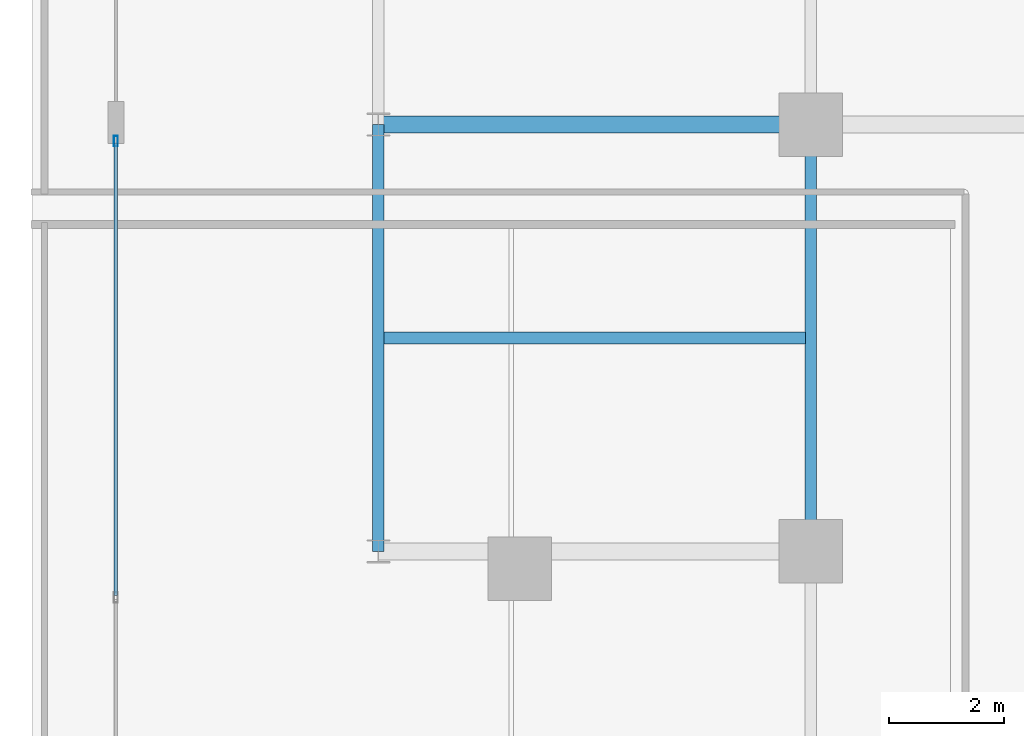
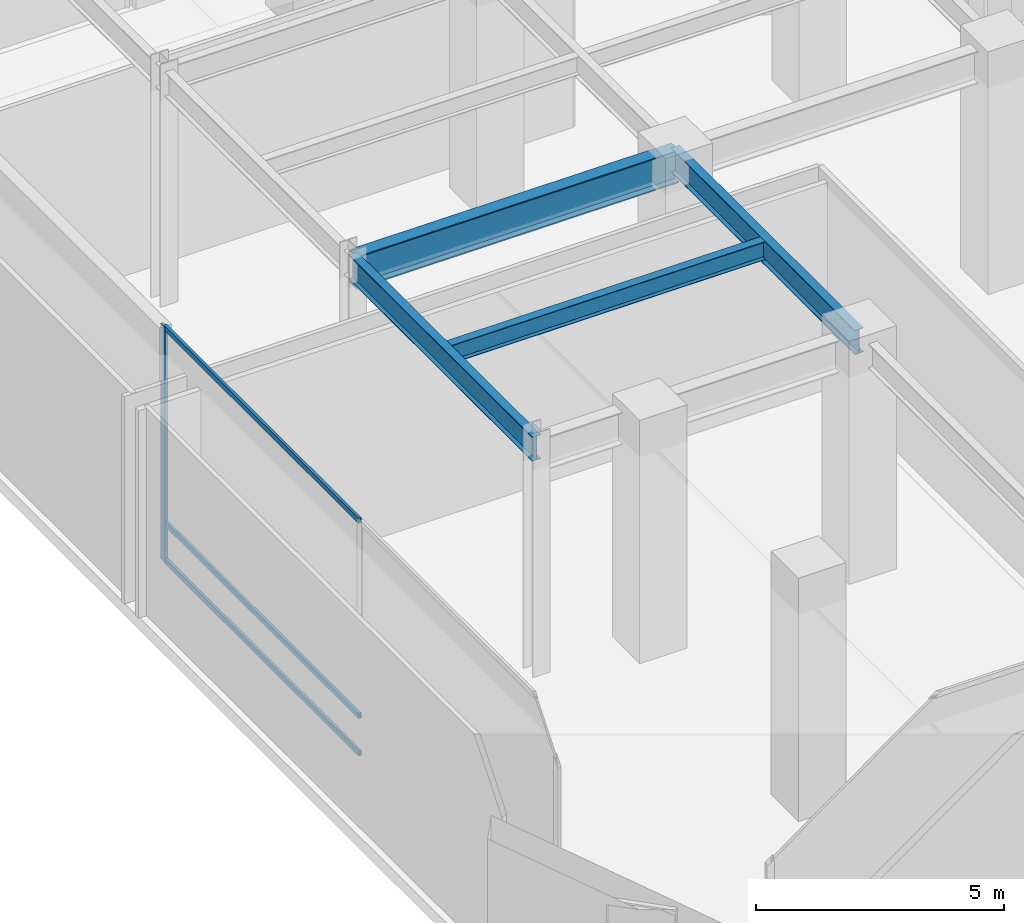
# One storey, part 9 of 40: 4 beams, 4 members, 1 element without a shape of its own.
"""IFC4 building model written with IfcOpenShell, lengths in metres."""

from ifc_helpers import new_model, si_unit, direction, frame, origin, origin_2d, place, context, subcontext, project, spatial, hollow_rectangle, i_section, extrude, material, layer, layer_set, material_profile, profile_set, type_object, element, aggregate, save


model = new_model("IFC4")

# Units and contexts
model_context = context("Model", 3, precision=1e-05, world=origin(), true_north=direction((0.0, 1.0)))
body_context = subcontext(model_context, "Body", "Model", "MODEL_VIEW")
ifc_project = project(units=[si_unit("LENGTHUNIT", "METRE"), si_unit("AREAUNIT", "SQUARE_METRE"), si_unit("VOLUMEUNIT", "CUBIC_METRE"), si_unit("PLANEANGLEUNIT", "RADIAN"), si_unit("MASSUNIT", "GRAM", prefix="KILO")], contexts=[model_context])

# Site, building, storey
site_placement = place(None, origin())
site = spatial("IfcSite", under=ifc_project, at=site_placement, CompositionType="ELEMENT")
building_placement = place(site_placement, origin())
building = spatial("IfcBuilding", under=site, at=building_placement, Name="Qianvela Tower", CompositionType="ELEMENT")
storey_placement = place(building_placement, origin())
storey = spatial("IfcBuildingStorey", under=building, at=storey_placement, Name="L00", CompositionType="ELEMENT", Elevation=0.0)

# Beams
ifc_material_1 = material(Name="Steel Q355B", Category="steel")
ifc_material_profile_1 = material_profile(ifc_material_1, i_section(OverallWidth=0.199951171875, OverallDepth=0.449951171875, WebThickness=0.009033203125, FlangeThickness=0.013916015625, at=origin_2d()), Name="HN450x200x9x14")
ifc_profile_set_1 = profile_set([ifc_material_profile_1], Name="Steel Q355B")
beam_type_1 = type_object("IfcBeamType", Name="BM-HN450-JOIST", PredefinedType="JOIST", material=ifc_profile_set_1)
beam_1_placement = place(storey_placement, frame((7.595947265625, 18.5, 5.552978515625), z_axis=(1.0, 0.0, 0.0), x_axis=(0.0, 1.0, 0.0)))
element("IfcBeam", 1, at=beam_1_placement, inside=storey, type_object=beam_type_1, Name="L00 Secondary Floor Joist 42", PredefinedType="JOIST", context=body_context, shape_type="SweptSolid", body=[
    extrude(i_section(OverallWidth=0.199951171875, OverallDepth=0.449951171875, WebThickness=0.009033203125, FlangeThickness=0.013916015625, at=origin_2d()), origin(), (0.0, 0.0, 1.0), 7.30810546875),
])
ifc_material_2 = material(Name="Steel Q355B", Category="steel")
ifc_material_profile_2 = material_profile(ifc_material_2, i_section(OverallWidth=0.199951171875, OverallDepth=0.60009765625, WebThickness=0.010986328125, FlangeThickness=0.01708984375, at=origin_2d()), Name="HN600x200x11x17")
ifc_profile_set_2 = profile_set([ifc_material_profile_2], Name="Steel Q355B")
beam_type_2 = type_object("IfcBeamType", Name="BM-HN600-GIRD", PredefinedType="BEAM", material=ifc_profile_set_2)
for number, where, z_axis, x_axis, name in (
    (2, (7.5, 14.800048828125, 5.47802734375), (0.0, 1.0, 0.0), (-1.0, 0.0, 0.0), "L00 North-South Grid Girder 16"),
    (3, (15.0, 14.800048828125, 5.47802734375), (0.0, 1.0, 0.0), (-1.0, 0.0, 0.0), "L00 North-South Grid Girder 20"),
):
    element("IfcBeam", number, at=place(storey_placement, frame(where, z_axis=z_axis, x_axis=x_axis)), inside=storey, type_object=beam_type_2, Name=name, PredefinedType="BEAM", context=body_context, shape_type="SweptSolid", body=[
        extrude(i_section(OverallWidth=0.199951171875, OverallDepth=0.60009765625, WebThickness=0.010986328125, FlangeThickness=0.01708984375, at=origin_2d()), origin(), (0.0, 0.0, 1.0), 7.39990234375),
    ])
ifc_material_3 = material(Name="Steel Q355B", Category="steel")
ifc_material_profile_3 = material_profile(ifc_material_3, i_section(OverallWidth=0.300048828125, OverallDepth=0.800048828125, WebThickness=0.013916015625, FlangeThickness=0.02587890625, at=origin_2d()), Name="HN800x300x14x26")
ifc_profile_set_3 = profile_set([ifc_material_profile_3], Name="Steel Q355B")
beam_type_3 = type_object("IfcBeamType", Name="BM-HN800-SPAND", PredefinedType="SPANDREL", material=ifc_profile_set_3)
beam_2_placement = place(storey_placement, frame((7.5, 22.199951171875, 5.3779296875), z_axis=(1.0, 0.0, 0.0), x_axis=(0.0, 1.0, 0.0)))
element("IfcBeam", 4, at=beam_2_placement, inside=storey, type_object=beam_type_3, Name="L00 East-West Grid Girder 3", PredefinedType="SPANDREL", context=body_context, shape_type="SweptSolid", body=[
    extrude(i_section(OverallWidth=0.300048828125, OverallDepth=0.800048828125, WebThickness=0.013916015625, FlangeThickness=0.02587890625, at=origin_2d()), origin(), (0.0, 0.0, 1.0), 7.5),
])

# Curtain wall, members
ifc_material_4 = material(Name="Anodised Architectural Aluminium and Low-E Glass", Category="aluminium")
ifc_layer = layer(ifc_material_4, 0.199951171875)
ifc_layer_set = layer_set([ifc_layer], Name="Anodised Architectural Aluminium and Low-E Glass")
curtain_wall_type = type_object("IfcCurtainWallType", Name="CW-CONCOURSE", PredefinedType="USERDEFINED", material=ifc_layer_set)
curtain_wall_placement = place(storey_placement, origin())
curtain_wall = element("IfcCurtainWall", 5, at=curtain_wall_placement, inside=storey, type_object=curtain_wall_type, Name="L00 CW-CONCOURSE Curtain Wall 07B", ObjectType="CURTAIN_WALL_SYSTEM", PredefinedType="USERDEFINED")
ifc_material_5 = material(Name="Anodised Architectural Aluminium 6063-T6", Category="aluminium")
ifc_material_profile_4 = material_profile(ifc_material_5, hollow_rectangle(XDim=0.070068359375, YDim=0.179931640625, WallThickness=0.0048828125, at=origin_2d()), Name="ALU-MULL-70x180")
ifc_profile_set_4 = profile_set([ifc_material_profile_4], Name="Anodised Architectural Aluminium 6063-T6")
member_type_1 = type_object("IfcMemberType", Name="CW-CONCOURSE-MULL", PredefinedType="MULLION", material=ifc_profile_set_4)
member_1_placement = place(storey_placement, frame((2.949951171875, 21.9150390625, 0.0), z_axis=(0.0, 0.0, 1.0), x_axis=(1.0, 0.0, 0.0)))
member_1 = element("IfcMember", 6, at=member_1_placement, type_object=member_type_1, Name="CW-1 mullion 1", PredefinedType="MULLION", context=body_context, shape_type="SweptSolid", body=[
    extrude(hollow_rectangle(XDim=0.070068359375, YDim=0.179931640625, WallThickness=0.0048828125, at=origin_2d()), origin(), (0.0, 0.0, 1.0), 5.780029296875),
])
ifc_material_6 = material(Name="Anodised Architectural Aluminium 6063-T6", Category="aluminium")
ifc_material_profile_5 = material_profile(ifc_material_6, hollow_rectangle(XDim=0.06494140625, YDim=0.1298828125, WallThickness=0.00439453125, at=origin_2d()), Name="ALU-TRAN-65x130")
ifc_profile_set_5 = profile_set([ifc_material_profile_5], Name="Anodised Architectural Aluminium 6063-T6")
member_type_2 = type_object("IfcMemberType", Name="CW-CONCOURSE-TRAN", PredefinedType="USERDEFINED", material=ifc_profile_set_5)
member_2_placement = place(storey_placement, frame((2.949951171875, 21.8798828125, 0.032470703125), z_axis=(0.0, -1.0, 0.0), x_axis=(1.0, 0.0, 0.0)))
member_2 = element("IfcMember", 7, at=member_2_placement, type_object=member_type_2, Name="CW-1 transom 1.1", ObjectType="TRANSOM", PredefinedType="USERDEFINED", context=body_context, shape_type="SweptSolid", body=[
    extrude(hollow_rectangle(XDim=0.06494140625, YDim=0.1298828125, WallThickness=0.00439453125, at=origin_2d()), origin(), (0.0, 0.0, 1.0), 7.844970703125),
])
member_3_placement = place(storey_placement, frame((2.949951171875, 21.8798828125, 0.949951171875), z_axis=(0.0, -1.0, 0.0), x_axis=(1.0, 0.0, 0.0)))
member_3 = element("IfcMember", 8, at=member_3_placement, type_object=member_type_2, Name="CW-1 transom 1.2", ObjectType="TRANSOM", PredefinedType="USERDEFINED", context=body_context, shape_type="SweptSolid", body=[
    extrude(hollow_rectangle(XDim=0.06494140625, YDim=0.1298828125, WallThickness=0.00439453125, at=origin_2d()), origin(), (0.0, 0.0, 1.0), 7.844970703125),
])
member_4_placement = place(storey_placement, frame((2.949951171875, 21.8798828125, 5.74755859375), z_axis=(0.0, -1.0, 0.0), x_axis=(1.0, 0.0, 0.0)))
member_4 = element("IfcMember", 9, at=member_4_placement, type_object=member_type_2, Name="CW-1 transom 1.3", ObjectType="TRANSOM", PredefinedType="USERDEFINED", context=body_context, shape_type="SweptSolid", body=[
    extrude(hollow_rectangle(XDim=0.06494140625, YDim=0.1298828125, WallThickness=0.00439453125, at=origin_2d()), origin(), (0.0, 0.0, 1.0), 7.844970703125),
])
aggregate(curtain_wall, [member_1, member_2, member_3, member_4])

save(model, "model.ifc")
